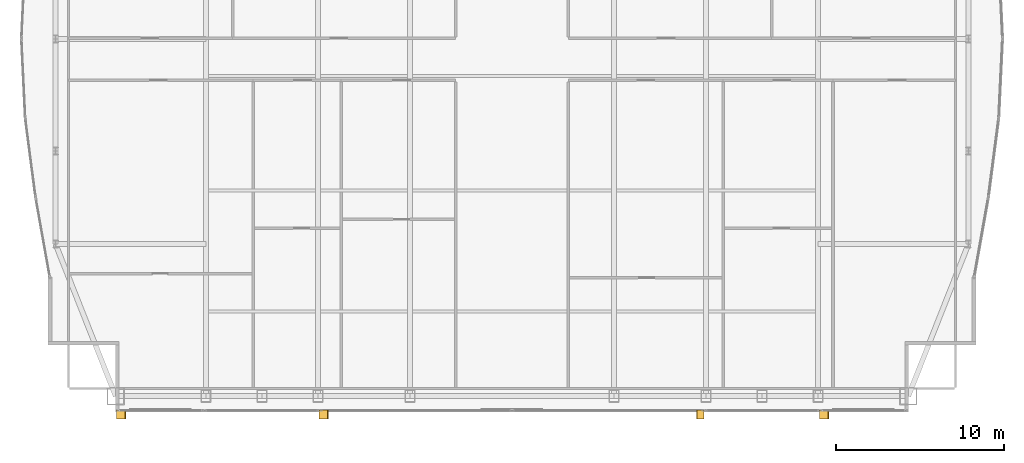
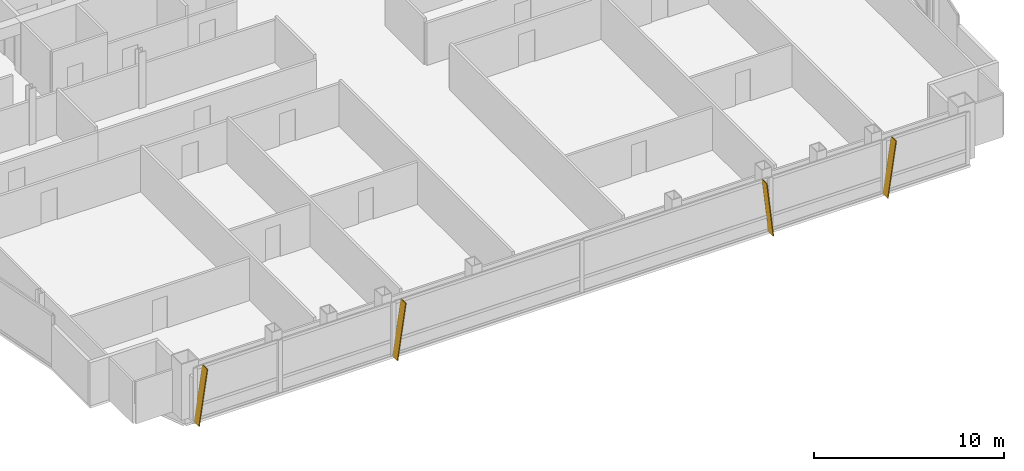
# One storey, part 29 of 30: 4 shading devices.
"""IFC4 building model written with IfcOpenShell, lengths in metres."""

from ifc_helpers import new_model, si_unit, direction, frame, origin, place, context, subcontext, project, spatial, polyline, outline, extrude, material, layer, layer_set, type_object, element, save


model = new_model("IFC4")

# Units and contexts
model_context = context("Model", 3, precision=1e-05, world=origin(), true_north=direction((0.0, 1.0)))
body_context = subcontext(model_context, "Body", "Model", "MODEL_VIEW")
ifc_project = project(units=[si_unit("LENGTHUNIT", "METRE"), si_unit("AREAUNIT", "SQUARE_METRE"), si_unit("VOLUMEUNIT", "CUBIC_METRE"), si_unit("PLANEANGLEUNIT", "RADIAN"), si_unit("MASSUNIT", "GRAM", prefix="KILO")], contexts=[model_context])

# Site, building, storey
site_placement = place(None, origin())
site = spatial("IfcSite", under=ifc_project, at=site_placement, CompositionType="ELEMENT")
building_placement = place(site_placement, origin())
building = spatial("IfcBuilding", under=site, at=building_placement, Name="Khoronbel Lancet Exchange", CompositionType="ELEMENT")
storey_placement = place(building_placement, frame((0.0, 0.0, 253.39990234375)))
storey = spatial("IfcBuildingStorey", under=building, at=storey_placement, Name="L65", CompositionType="ELEMENT", Elevation=253.39990234375)

# Shading devices
ifc_material = material(Name="Bronze-Anodised Aluminium 6063-T6", Category="aluminium")
ifc_layer = layer(ifc_material, 0.054931640625, Name="Bronze-Anodised Aluminium 6063-T6")
ifc_layer_set = layer_set([ifc_layer], Name="Bronze-Anodised Aluminium 6063-T6")
shading_device_type = type_object("IfcShadingDeviceType", Name="SHD-FIN1", PredefinedType="USERDEFINED", material=ifc_layer_set)
shading_device_1_placement = place(storey_placement, frame((12.91259765625, 9.31005859375, -0.079833984375), z_axis=(-0.989755257242, 0.0, 0.142774405132), x_axis=(0.0, -1.0, 0.0)))
element("IfcShadingDevice", 1, at=shading_device_1_placement, inside=storey, type_object=shading_device_type, Name="Slanted bronze solar fin CW-L65-SWV-0", ObjectType="FIN", PredefinedType="USERDEFINED", context=body_context, shape_type="SweptSolid", body=[
    extrude(outline(polyline([(0.0, 0.0), (0.52001953125, 0.0), (0.52001953125, 3.5361328125), (0.0, 3.5361328125), (0.0, 0.0)])), origin(), (0.0, 0.0, -1.0), 0.054931640625),
])
shading_device_2_placement = place(storey_placement, frame((24.972412109375, 9.31005859375, -0.079833984375), z_axis=(-0.989745498888, 0.0, 0.142842036635), x_axis=(0.0, -1.0, 0.0)))
element("IfcShadingDevice", 2, at=shading_device_2_placement, inside=storey, type_object=shading_device_type, Name="Slanted bronze solar fin CW-L65-SCV-0", ObjectType="FIN", PredefinedType="USERDEFINED", context=body_context, shape_type="SweptSolid", body=[
    extrude(outline(polyline([(0.0, 0.0), (0.52001953125, 0.0), (0.52001953125, 3.536376953125), (0.0, 3.536376953125), (0.0, 0.0)])), origin(), (0.0, 0.0, -1.0), 0.054931640625),
])
shading_device_3_placement = place(storey_placement, frame((47.87255859375, 9.31005859375, -0.079833984375), z_axis=(0.993691210277, 0.0, 0.112150696026), x_axis=(0.0, -1.0, 0.0)))
element("IfcShadingDevice", 3, at=shading_device_3_placement, inside=storey, type_object=shading_device_type, Name="Slanted bronze solar fin CW-L65-SCV-2", ObjectType="FIN", PredefinedType="USERDEFINED", context=body_context, shape_type="SweptSolid", body=[
    extrude(outline(polyline([(0.0, 0.0), (0.52001953125, 0.0), (0.52001953125, -3.522216796875), (0.0, -3.522216796875), (0.0, 0.0)])), origin(), (0.0, 0.0, -1.0), 0.054931640625),
])
shading_device_4_placement = place(storey_placement, frame((54.7724609375, 9.31005859375, -0.079833984375), z_axis=(-0.989745498888, 0.0, 0.142842036635), x_axis=(0.0, -1.0, 0.0)))
element("IfcShadingDevice", 4, at=shading_device_4_placement, inside=storey, type_object=shading_device_type, Name="Slanted bronze solar fin CW-L65-SEV-0", ObjectType="FIN", PredefinedType="USERDEFINED", context=body_context, shape_type="SweptSolid", body=[
    extrude(outline(polyline([(0.0, 0.0), (0.52001953125, 0.0), (0.52001953125, 3.536376953125), (0.0, 3.536376953125), (0.0, 0.0)])), origin(), (0.0, 0.0, -1.0), 0.054931640625),
])

save(model, "model.ifc")
